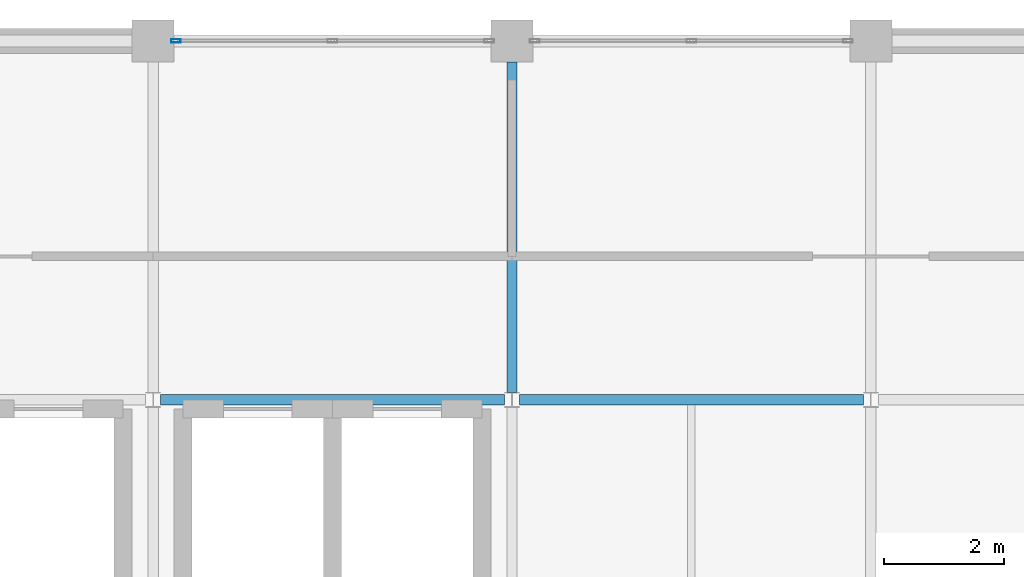
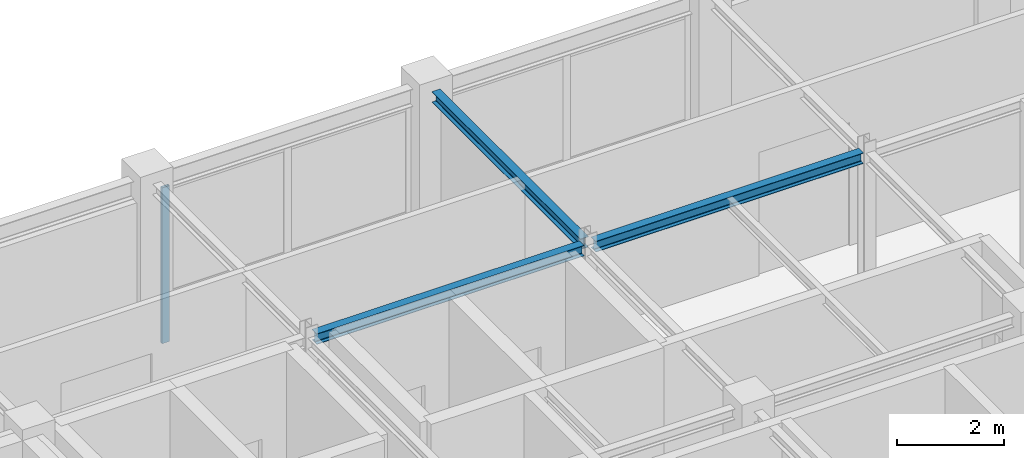
# One storey, part 8 of 14: 3 beams, 1 member, 1 element without a shape of its own.
"""IFC4 building model written with IfcOpenShell, lengths in metres."""

from ifc_helpers import new_model, si_unit, direction, frame, origin, origin_2d, place, context, subcontext, project, spatial, hollow_rectangle, i_section, extrude, material, layer, layer_set, material_profile, profile_set, type_object, element, aggregate, save


model = new_model("IFC4")

# Units and contexts
model_context = context("Model", 3, precision=1e-05, world=origin(), true_north=direction((0.0, 1.0)))
body_context = subcontext(model_context, "Body", "Model", "MODEL_VIEW")
ifc_project = project(units=[si_unit("LENGTHUNIT", "METRE"), si_unit("AREAUNIT", "SQUARE_METRE"), si_unit("VOLUMEUNIT", "CUBIC_METRE"), si_unit("PLANEANGLEUNIT", "RADIAN"), si_unit("MASSUNIT", "GRAM", prefix="KILO")], contexts=[model_context])

# Site, building, storey
site_placement = place(None, origin())
site = spatial("IfcSite", under=ifc_project, at=site_placement, CompositionType="ELEMENT")
building_placement = place(site_placement, origin())
building = spatial("IfcBuilding", under=site, at=building_placement, Name="Zlatovratsky Civic Hall", CompositionType="ELEMENT")
storey_placement = place(building_placement, frame((0.0, 0.0, 67.800048828125)))
storey = spatial("IfcBuildingStorey", under=building, at=storey_placement, Name="L17", CompositionType="ELEMENT", Elevation=67.800048828125)

# Beams
ifc_material_1 = material(Name="Steel S355", Category="steel")
ifc_material_profile_1 = material_profile(ifc_material_1, i_section(OverallWidth=0.175048828125, OverallDepth=0.243896484375, WebThickness=0.007080078125, FlangeThickness=0.010986328125, FilletRadius=0.01611328125, at=origin_2d()), Name="25Sh1")
ifc_profile_set_1 = profile_set([ifc_material_profile_1], Name="Steel S355")
beam_type = type_object("IfcBeamType", Name="Beam_Crown_25Sh1", PredefinedType="BEAM", material=ifc_profile_set_1)
for number, where, z_axis, x_axis, name in (
    (1, (78.125, 96.0, 3.837890625), (1.0, 0.0, 0.0), (0.0, 1.0, 0.0), "BM-5211"),
    (2, (84.125, 96.0, 3.837890625), (1.0, 0.0, 0.0), (0.0, 1.0, 0.0), "BM-5212"),
):
    element("IfcBeam", number, at=place(storey_placement, frame(where, z_axis=z_axis, x_axis=x_axis)), inside=storey, type_object=beam_type, Name=name, PredefinedType="BEAM", context=body_context, shape_type="SweptSolid", body=[
        extrude(i_section(OverallWidth=0.175048828125, OverallDepth=0.243896484375, WebThickness=0.007080078125, FlangeThickness=0.010986328125, FilletRadius=0.01611328125, at=origin_2d()), origin(), (0.0, 0.0, 1.0), 5.75),
    ])
beam_placement = place(storey_placement, frame((84.0, 96.125, 3.837890625), z_axis=(0.0, 1.0, 0.0), x_axis=(-1.0, 0.0, 0.0)))
element("IfcBeam", 3, at=beam_placement, inside=storey, type_object=beam_type, Name="BM-5236", PredefinedType="BEAM", context=body_context, shape_type="SweptSolid", body=[
    extrude(i_section(OverallWidth=0.175048828125, OverallDepth=0.243896484375, WebThickness=0.007080078125, FlangeThickness=0.010986328125, FilletRadius=0.01611328125, at=origin_2d()), origin(), (0.0, 0.0, 1.0), 5.52490234375),
])

# Curtain wall, member
ifc_material_2 = material(Name="Anodised bronze aluminium", Category="aluminium")
ifc_layer = layer(ifc_material_2, 0.159912109375)
ifc_layer_set = layer_set([ifc_layer], Name="Anodised bronze aluminium")
curtain_wall_type = type_object("IfcCurtainWallType", Name="CurtainWall_Bronze_5300x3540_25", PredefinedType="NOTDEFINED", material=ifc_layer_set)
curtain_wall_placement = place(storey_placement, origin())
curtain_wall = element("IfcCurtainWall", 4, at=curtain_wall_placement, inside=storey, type_object=curtain_wall_type, Name="CW-179", PredefinedType="NOTDEFINED")
ifc_material_profile_2 = material_profile(ifc_material_2, hollow_rectangle(XDim=0.06005859375, YDim=0.159912109375, WallThickness=0.00390625, at=origin_2d()), Name="ALU 60x160x4")
ifc_profile_set_2 = profile_set([ifc_material_profile_2], Name="Anodised bronze aluminium")
member_type = type_object("IfcMemberType", Name="CW_Mullion_60x160", PredefinedType="MULLION", material=ifc_profile_set_2)
member_placement = place(storey_placement, frame((78.3798828125, 102.0, 0.0), z_axis=(0.0, 0.0, 1.0), x_axis=(0.0, 1.0, 0.0)))
member = element("IfcMember", 5, at=member_placement, type_object=member_type, Name="CW-25 mullion 1", PredefinedType="MULLION", context=body_context, shape_type="SweptSolid", body=[
    extrude(hollow_rectangle(XDim=0.06005859375, YDim=0.159912109375, WallThickness=0.00390625, at=origin_2d()), origin(), (0.0, 0.0, 1.0), 3.5400390625),
])
aggregate(curtain_wall, [member])

save(model, "model.ifc")
